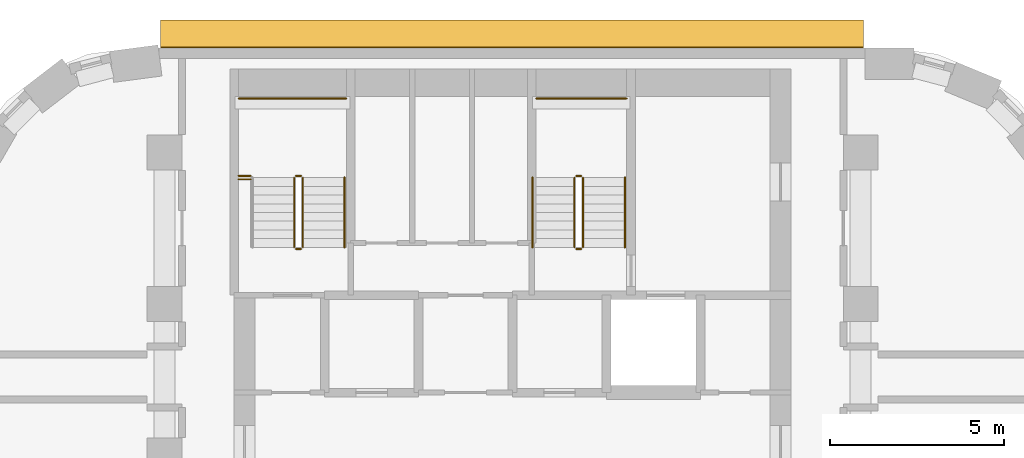
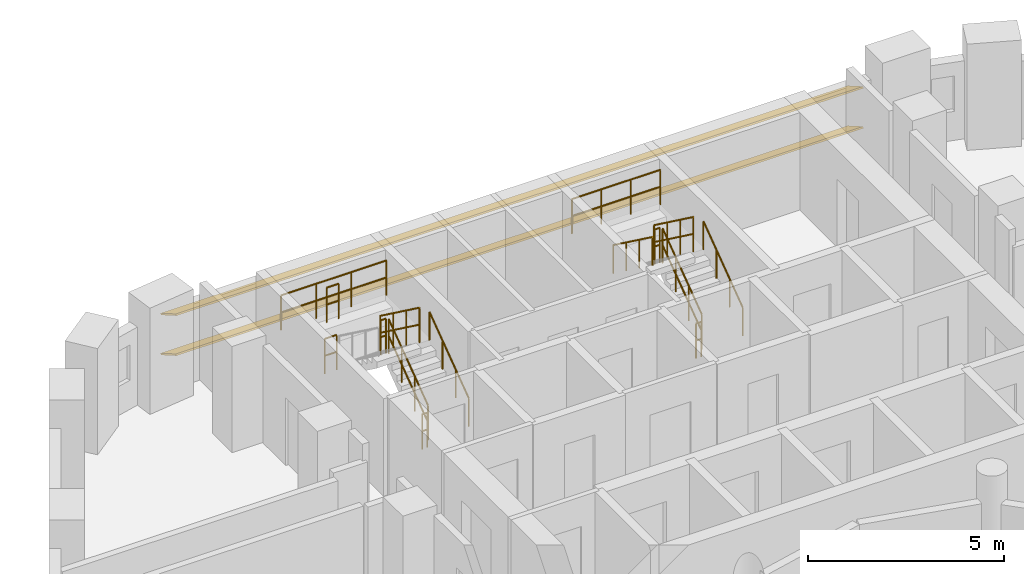
# One storey, part 12 of 12: 15 railings, 2 shading devices.
"""IFC4 building model written with IfcOpenShell, lengths in metres."""

from ifc_helpers import new_model, si_unit, direction, frame, origin, origin_2d, place, context, subcontext, project, spatial, rectangle, circle, extrude, material, material_profile, profile_set, type_object, element, save


model = new_model("IFC4")

# Units and contexts
model_context = context("Model", 3, precision=1e-05, world=origin(), true_north=direction((0.0, 1.0)))
body_context = subcontext(model_context, "Body", "Model", "MODEL_VIEW")
ifc_project = project(units=[si_unit("LENGTHUNIT", "METRE"), si_unit("AREAUNIT", "SQUARE_METRE"), si_unit("VOLUMEUNIT", "CUBIC_METRE"), si_unit("PLANEANGLEUNIT", "RADIAN"), si_unit("MASSUNIT", "GRAM", prefix="KILO")], contexts=[model_context])

# Site, building, storey
site_placement = place(None, origin())
site = spatial("IfcSite", under=ifc_project, at=site_placement, CompositionType="ELEMENT")
building_placement = place(site_placement, origin())
building = spatial("IfcBuilding", under=site, at=building_placement, Name="Nakaniwa Court", CompositionType="ELEMENT")
storey_placement = place(building_placement, frame((0.0, 0.0, 97.5)))
storey = spatial("IfcBuildingStorey", under=building, at=storey_placement, Name="L25", CompositionType="ELEMENT", Elevation=97.5)

# Shading devices
ifc_material_1 = material(Name="Perforated charcoal ceramic louvre blade")
ifc_material_profile = material_profile(ifc_material_1, rectangle(XDim=0.89990234375, YDim=0.050048828125, at=origin_2d()), Name="Perforated ceramic louvre blade")
ifc_profile_set = profile_set([ifc_material_profile], Name="Perforated charcoal ceramic louvre blade")
shading_device_type = type_object("IfcShadingDeviceType", Name="Perforated ceramic louvre blade", PredefinedType="JALOUSIE", material=ifc_profile_set)
for number, where, z_axis, x_axis, name in (
    (1, (90.07861328125, 104.402099609375, 0.550048828125), (-1.0, 0.0, 0.0), (0.0, -0.866025403784, 0.5), "L25 perforated ceramic louvre blade w08 1"),
    (2, (90.07861328125, 104.402099609375, 1.793212890625), (-1.0, 0.0, 0.0), (0.0, -0.866025403784, 0.5), "L25 perforated ceramic louvre blade w08 2"),
):
    element("IfcShadingDevice", number, at=place(storey_placement, frame(where, z_axis=z_axis, x_axis=x_axis)), inside=storey, type_object=shading_device_type, Name=name, PredefinedType="JALOUSIE", context=body_context, shape_type="SweptSolid", body=[
        extrude(rectangle(XDim=0.89990234375, YDim=0.050048828125, at=origin_2d()), origin(), (0.0, 0.0, 1.0), 20.19091796875),
    ])

# Railings
ifc_material_2 = material(Name="Black powder coated steel guard", Category="steel")
railing_type_1 = type_object("IfcRailingType", Name="Stair guard 1100", PredefinedType="GUARDRAIL", material=ifc_material_2)
railing_1_placement = place(storey_placement, frame((73.97509765625, 98.27490234375, 0.183349609375)))
element("IfcRailing", 3, at=railing_1_placement, inside=storey, type_object=railing_type_1, Name="L25 ST1 stair guard 1", PredefinedType="GUARDRAIL", context=body_context, shape_type="SweptSolid", body=[
    extrude(circle(Radius=0.02392578125, at=origin_2d()), frame((0.0, 0.0, 1.076171875), z_axis=(0.0, 0.806426902644, 0.591333789573), x_axis=(-1.0, 0.0, 0.0)), (0.0, 0.0, 1.0), 2.47998046875),
    extrude(circle(Radius=0.02392578125, at=origin_2d()), frame((0.0, 0.0, 0.550048828125), z_axis=(0.0, 0.806426902644, 0.591333789573), x_axis=(-1.0, 0.0, 0.0)), (0.0, 0.0, 1.0), 2.47998046875),
    extrude(circle(Radius=0.02099609375, at=origin_2d()), origin(), (0.0, 0.0, 1.0), 1.052001953125),
    extrude(circle(Radius=0.02099609375, at=origin_2d()), frame((0.0, 0.666748046875, 0.48876953125)), (0.0, 0.0, 1.0), 1.052001953125),
    extrude(circle(Radius=0.02099609375, at=origin_2d()), frame((0.0, 1.333251953125, 0.977783203125)), (0.0, 0.0, 1.0), 1.052001953125),
    extrude(circle(Radius=0.02099609375, at=origin_2d()), frame((0.0, 2.0, 1.466552734375)), (0.0, 0.0, 1.0), 1.052001953125),
])
railing_2_placement = place(storey_placement, frame((73.925048828125, 100.324951171875, 1.64990234375)))
element("IfcRailing", 4, at=railing_2_placement, inside=storey, type_object=railing_type_1, Name="L25 ST1 stair guard 2", PredefinedType="GUARDRAIL", context=body_context, shape_type="SweptSolid", body=[
    extrude(circle(Radius=0.02392578125, at=origin_2d()), frame((0.0, 0.0, 1.076171875), z_axis=(-1.0, 0.0, 0.0), x_axis=(0.0, -1.0, 0.0)), (0.0, 0.0, 1.0), 0.150146484375),
    extrude(circle(Radius=0.02392578125, at=origin_2d()), frame((0.0, 0.0, 0.550048828125), z_axis=(-1.0, 0.0, 0.0), x_axis=(0.0, -1.0, 0.0)), (0.0, 0.0, 1.0), 0.150146484375),
    extrude(circle(Radius=0.02099609375, at=origin_2d()), origin(), (0.0, 0.0, 1.0), 1.052001953125),
    extrude(circle(Radius=0.02099609375, at=origin_2d()), frame((-0.150146484375, 0.0, 0.0)), (0.0, 0.0, 1.0), 1.052001953125),
])
railing_3_placement = place(storey_placement, frame((73.72509765625, 100.27490234375, 1.833251953125)))
element("IfcRailing", 5, at=railing_3_placement, inside=storey, type_object=railing_type_1, Name="L25 ST1 stair guard 3", PredefinedType="GUARDRAIL", context=body_context, shape_type="SweptSolid", body=[
    extrude(circle(Radius=0.02392578125, at=origin_2d()), frame((0.0, 0.0, 1.076171875), z_axis=(0.0, -0.806379959628, 0.591397802423), x_axis=(1.0, 0.0, 0.0)), (0.0, 0.0, 1.0), 2.480224609375),
    extrude(circle(Radius=0.02392578125, at=origin_2d()), frame((0.0, 0.0, 0.550048828125), z_axis=(0.0, -0.806379959628, 0.591397802423), x_axis=(1.0, 0.0, 0.0)), (0.0, 0.0, 1.0), 2.480224609375),
    extrude(circle(Radius=0.02099609375, at=origin_2d()), origin(), (0.0, 0.0, 1.0), 1.052001953125),
    extrude(circle(Radius=0.02099609375, at=origin_2d()), frame((0.0, -0.666748046875, 0.489013671875)), (0.0, 0.0, 1.0), 1.052001953125),
    extrude(circle(Radius=0.02099609375, at=origin_2d()), frame((0.0, -1.333251953125, 0.977783203125)), (0.0, 0.0, 1.0), 1.052001953125),
    extrude(circle(Radius=0.02099609375, at=origin_2d()), frame((0.0, -2.0, 1.466796875)), (0.0, 0.0, 1.0), 1.052001953125),
])
railing_4_placement = place(storey_placement, frame((73.925048828125, 98.22509765625, 0.0)))
element("IfcRailing", 6, at=railing_4_placement, inside=storey, type_object=railing_type_1, Name="L25 ST1 stair guard 4", PredefinedType="GUARDRAIL", context=body_context, shape_type="SweptSolid", body=[
    extrude(circle(Radius=0.02392578125, at=origin_2d()), frame((0.0, 0.0, 1.076171875), z_axis=(-1.0, 0.0, 0.0), x_axis=(0.0, -1.0, 0.0)), (0.0, 0.0, 1.0), 0.150146484375),
    extrude(circle(Radius=0.02392578125, at=origin_2d()), frame((0.0, 0.0, 0.550048828125), z_axis=(-1.0, 0.0, 0.0), x_axis=(0.0, -1.0, 0.0)), (0.0, 0.0, 1.0), 0.150146484375),
    extrude(circle(Radius=0.02099609375, at=origin_2d()), origin(), (0.0, 0.0, 1.0), 1.052001953125),
    extrude(circle(Radius=0.02099609375, at=origin_2d()), frame((-0.150146484375, 0.0, 0.0)), (0.0, 0.0, 1.0), 1.052001953125),
])
railing_5_placement = place(storey_placement, frame((72.125, 102.550048828125, 1.64990234375)))
element("IfcRailing", 7, at=railing_5_placement, inside=storey, type_object=railing_type_1, Name="L25 ST1 landing end guard 1", PredefinedType="GUARDRAIL", context=body_context, shape_type="SweptSolid", body=[
    extrude(circle(Radius=0.02392578125, at=origin_2d()), frame((0.0, 0.0, 1.076171875), z_axis=(1.0, 0.0, 0.0), x_axis=(0.0, 1.0, 0.0)), (0.0, 0.0, 1.0), 3.10009765625),
    extrude(circle(Radius=0.02392578125, at=origin_2d()), frame((0.0, 0.0, 0.550048828125), z_axis=(1.0, 0.0, 0.0), x_axis=(0.0, 1.0, 0.0)), (0.0, 0.0, 1.0), 3.10009765625),
    extrude(circle(Radius=0.02099609375, at=origin_2d()), origin(), (0.0, 0.0, 1.0), 1.052001953125),
    extrude(circle(Radius=0.02099609375, at=origin_2d()), frame((1.033447265625, 0.0, 0.0)), (0.0, 0.0, 1.0), 1.052001953125),
    extrude(circle(Radius=0.02099609375, at=origin_2d()), frame((2.066650390625, 0.0, 0.0)), (0.0, 0.0, 1.0), 1.052001953125),
    extrude(circle(Radius=0.02099609375, at=origin_2d()), frame((3.10009765625, 0.0, 0.0)), (0.0, 0.0, 1.0), 1.052001953125),
])
for number, where, name in (
    (8, (72.125, 100.324951171875, 1.64990234375), "L25 ST1 landing side guard 1W"),
    (9, (72.125, 100.22509765625, 3.300048828125), "L25 ST1 floor edge guard 1W"),
):
    element("IfcRailing", number, at=place(storey_placement, frame(where)), inside=storey, type_object=railing_type_1, Name=name, PredefinedType="GUARDRAIL", context=body_context, shape_type="SweptSolid", body=[
        extrude(circle(Radius=0.02392578125, at=origin_2d()), frame((0.0, 0.0, 1.076171875), z_axis=(1.0, 0.0, 0.0), x_axis=(0.0, 1.0, 0.0)), (0.0, 0.0, 1.0), 0.35009765625),
        extrude(circle(Radius=0.02392578125, at=origin_2d()), frame((0.0, 0.0, 0.550048828125), z_axis=(1.0, 0.0, 0.0), x_axis=(0.0, 1.0, 0.0)), (0.0, 0.0, 1.0), 0.35009765625),
        extrude(circle(Radius=0.02099609375, at=origin_2d()), origin(), (0.0, 0.0, 1.0), 1.052001953125),
        extrude(circle(Radius=0.02099609375, at=origin_2d()), frame((0.35009765625, 0.0, 0.0)), (0.0, 0.0, 1.0), 1.052001953125),
    ])
railing_6_placement = place(storey_placement, frame((82.02490234375, 98.27490234375, 0.183349609375)))
element("IfcRailing", 10, at=railing_6_placement, inside=storey, type_object=railing_type_1, Name="L25 ST2 stair guard 1", PredefinedType="GUARDRAIL", context=body_context, shape_type="SweptSolid", body=[
    extrude(circle(Radius=0.02392578125, at=origin_2d()), frame((0.0, 0.0, 1.076171875), z_axis=(0.0, 0.806426902644, 0.591333789573), x_axis=(-1.0, 0.0, 0.0)), (0.0, 0.0, 1.0), 2.47998046875),
    extrude(circle(Radius=0.02392578125, at=origin_2d()), frame((0.0, 0.0, 0.550048828125), z_axis=(0.0, 0.806426902644, 0.591333789573), x_axis=(-1.0, 0.0, 0.0)), (0.0, 0.0, 1.0), 2.47998046875),
    extrude(circle(Radius=0.02099609375, at=origin_2d()), origin(), (0.0, 0.0, 1.0), 1.052001953125),
    extrude(circle(Radius=0.02099609375, at=origin_2d()), frame((0.0, 0.666748046875, 0.48876953125)), (0.0, 0.0, 1.0), 1.052001953125),
    extrude(circle(Radius=0.02099609375, at=origin_2d()), frame((0.0, 1.333251953125, 0.977783203125)), (0.0, 0.0, 1.0), 1.052001953125),
    extrude(circle(Radius=0.02099609375, at=origin_2d()), frame((0.0, 2.0, 1.466552734375)), (0.0, 0.0, 1.0), 1.052001953125),
])
railing_7_placement = place(storey_placement, frame((81.97509765625, 100.324951171875, 1.64990234375)))
element("IfcRailing", 11, at=railing_7_placement, inside=storey, type_object=railing_type_1, Name="L25 ST2 stair guard 2", PredefinedType="GUARDRAIL", context=body_context, shape_type="SweptSolid", body=[
    extrude(circle(Radius=0.02392578125, at=origin_2d()), frame((0.0, 0.0, 1.076171875), z_axis=(-1.0, 0.0, 0.0), x_axis=(0.0, -1.0, 0.0)), (0.0, 0.0, 1.0), 0.150146484375),
    extrude(circle(Radius=0.02392578125, at=origin_2d()), frame((0.0, 0.0, 0.550048828125), z_axis=(-1.0, 0.0, 0.0), x_axis=(0.0, -1.0, 0.0)), (0.0, 0.0, 1.0), 0.150146484375),
    extrude(circle(Radius=0.02099609375, at=origin_2d()), origin(), (0.0, 0.0, 1.0), 1.052001953125),
    extrude(circle(Radius=0.02099609375, at=origin_2d()), frame((-0.150146484375, 0.0, 0.0)), (0.0, 0.0, 1.0), 1.052001953125),
])
railing_8_placement = place(storey_placement, frame((81.77490234375, 100.27490234375, 1.833251953125)))
element("IfcRailing", 12, at=railing_8_placement, inside=storey, type_object=railing_type_1, Name="L25 ST2 stair guard 3", PredefinedType="GUARDRAIL", context=body_context, shape_type="SweptSolid", body=[
    extrude(circle(Radius=0.02392578125, at=origin_2d()), frame((0.0, 0.0, 1.076171875), z_axis=(0.0, -0.806379959628, 0.591397802423), x_axis=(1.0, 0.0, 0.0)), (0.0, 0.0, 1.0), 2.480224609375),
    extrude(circle(Radius=0.02392578125, at=origin_2d()), frame((0.0, 0.0, 0.550048828125), z_axis=(0.0, -0.806379959628, 0.591397802423), x_axis=(1.0, 0.0, 0.0)), (0.0, 0.0, 1.0), 2.480224609375),
    extrude(circle(Radius=0.02099609375, at=origin_2d()), origin(), (0.0, 0.0, 1.0), 1.052001953125),
    extrude(circle(Radius=0.02099609375, at=origin_2d()), frame((0.0, -0.666748046875, 0.489013671875)), (0.0, 0.0, 1.0), 1.052001953125),
    extrude(circle(Radius=0.02099609375, at=origin_2d()), frame((0.0, -1.333251953125, 0.977783203125)), (0.0, 0.0, 1.0), 1.052001953125),
    extrude(circle(Radius=0.02099609375, at=origin_2d()), frame((0.0, -2.0, 1.466796875)), (0.0, 0.0, 1.0), 1.052001953125),
])
railing_9_placement = place(storey_placement, frame((81.97509765625, 98.22509765625, 0.0)))
element("IfcRailing", 13, at=railing_9_placement, inside=storey, type_object=railing_type_1, Name="L25 ST2 stair guard 4", PredefinedType="GUARDRAIL", context=body_context, shape_type="SweptSolid", body=[
    extrude(circle(Radius=0.02392578125, at=origin_2d()), frame((0.0, 0.0, 1.076171875), z_axis=(-1.0, 0.0, 0.0), x_axis=(0.0, -1.0, 0.0)), (0.0, 0.0, 1.0), 0.150146484375),
    extrude(circle(Radius=0.02392578125, at=origin_2d()), frame((0.0, 0.0, 0.550048828125), z_axis=(-1.0, 0.0, 0.0), x_axis=(0.0, -1.0, 0.0)), (0.0, 0.0, 1.0), 0.150146484375),
    extrude(circle(Radius=0.02099609375, at=origin_2d()), origin(), (0.0, 0.0, 1.0), 1.052001953125),
    extrude(circle(Radius=0.02099609375, at=origin_2d()), frame((-0.150146484375, 0.0, 0.0)), (0.0, 0.0, 1.0), 1.052001953125),
])
railing_10_placement = place(storey_placement, frame((80.675048828125, 102.550048828125, 1.64990234375)))
element("IfcRailing", 14, at=railing_10_placement, inside=storey, type_object=railing_type_1, Name="L25 ST2 landing end guard 1", PredefinedType="GUARDRAIL", context=body_context, shape_type="SweptSolid", body=[
    extrude(circle(Radius=0.02392578125, at=origin_2d()), frame((0.0, 0.0, 1.076171875), z_axis=(1.0, 0.0, 0.0), x_axis=(0.0, 1.0, 0.0)), (0.0, 0.0, 1.0), 2.599853515625),
    extrude(circle(Radius=0.02392578125, at=origin_2d()), frame((0.0, 0.0, 0.550048828125), z_axis=(1.0, 0.0, 0.0), x_axis=(0.0, 1.0, 0.0)), (0.0, 0.0, 1.0), 2.599853515625),
    extrude(circle(Radius=0.02099609375, at=origin_2d()), origin(), (0.0, 0.0, 1.0), 1.052001953125),
    extrude(circle(Radius=0.02099609375, at=origin_2d()), frame((0.86669921875, 0.0, 0.0)), (0.0, 0.0, 1.0), 1.052001953125),
    extrude(circle(Radius=0.02099609375, at=origin_2d()), frame((1.733154296875, 0.0, 0.0)), (0.0, 0.0, 1.0), 1.052001953125),
    extrude(circle(Radius=0.02099609375, at=origin_2d()), frame((2.599853515625, 0.0, 0.0)), (0.0, 0.0, 1.0), 1.052001953125),
])
ifc_material_3 = material(Name="Black powder coated steel handrail", Category="steel")
railing_type_2 = type_object("IfcRailingType", Name="Stair handrail 900", PredefinedType="HANDRAIL", material=ifc_material_3)
for number, where, name in (
    (15, (75.175048828125, 98.27490234375, 0.183349609375), "L25 ST1 stair handrail 1"),
    (16, (83.22509765625, 98.27490234375, 0.183349609375), "L25 ST2 stair handrail 1"),
):
    element("IfcRailing", number, at=place(storey_placement, frame(where)), inside=storey, type_object=railing_type_2, Name=name, PredefinedType="HANDRAIL", context=body_context, shape_type="SweptSolid", body=[
        extrude(circle(Radius=0.02392578125, at=origin_2d()), frame((0.0, 0.0, 0.8759765625), z_axis=(0.0, 0.806426902644, 0.591333789573), x_axis=(-1.0, 0.0, 0.0)), (0.0, 0.0, 1.0), 2.47998046875),
        extrude(circle(Radius=0.02099609375, at=origin_2d()), origin(), (0.0, 0.0, 1.0), 0.851806640625),
        extrude(circle(Radius=0.02099609375, at=origin_2d()), frame((0.0, 0.666748046875, 0.48876953125)), (0.0, 0.0, 1.0), 0.851806640625),
        extrude(circle(Radius=0.02099609375, at=origin_2d()), frame((0.0, 1.333251953125, 0.977783203125)), (0.0, 0.0, 1.0), 0.851806640625),
        extrude(circle(Radius=0.02099609375, at=origin_2d()), frame((0.0, 2.0, 1.466552734375)), (0.0, 0.0, 1.0), 0.851806640625),
    ])
railing_11_placement = place(storey_placement, frame((80.574951171875, 100.27490234375, 1.833251953125)))
element("IfcRailing", 17, at=railing_11_placement, inside=storey, type_object=railing_type_2, Name="L25 ST2 stair handrail 2", PredefinedType="HANDRAIL", context=body_context, shape_type="SweptSolid", body=[
    extrude(circle(Radius=0.02392578125, at=origin_2d()), frame((0.0, 0.0, 0.8759765625), z_axis=(0.0, -0.806379959628, 0.591397802423), x_axis=(1.0, 0.0, 0.0)), (0.0, 0.0, 1.0), 2.480224609375),
    extrude(circle(Radius=0.02099609375, at=origin_2d()), origin(), (0.0, 0.0, 1.0), 0.851806640625),
    extrude(circle(Radius=0.02099609375, at=origin_2d()), frame((0.0, -0.666748046875, 0.489013671875)), (0.0, 0.0, 1.0), 0.851806640625),
    extrude(circle(Radius=0.02099609375, at=origin_2d()), frame((0.0, -1.333251953125, 0.977783203125)), (0.0, 0.0, 1.0), 0.851806640625),
    extrude(circle(Radius=0.02099609375, at=origin_2d()), frame((0.0, -2.0, 1.466796875)), (0.0, 0.0, 1.0), 0.851806640625),
])

save(model, "model.ifc")
